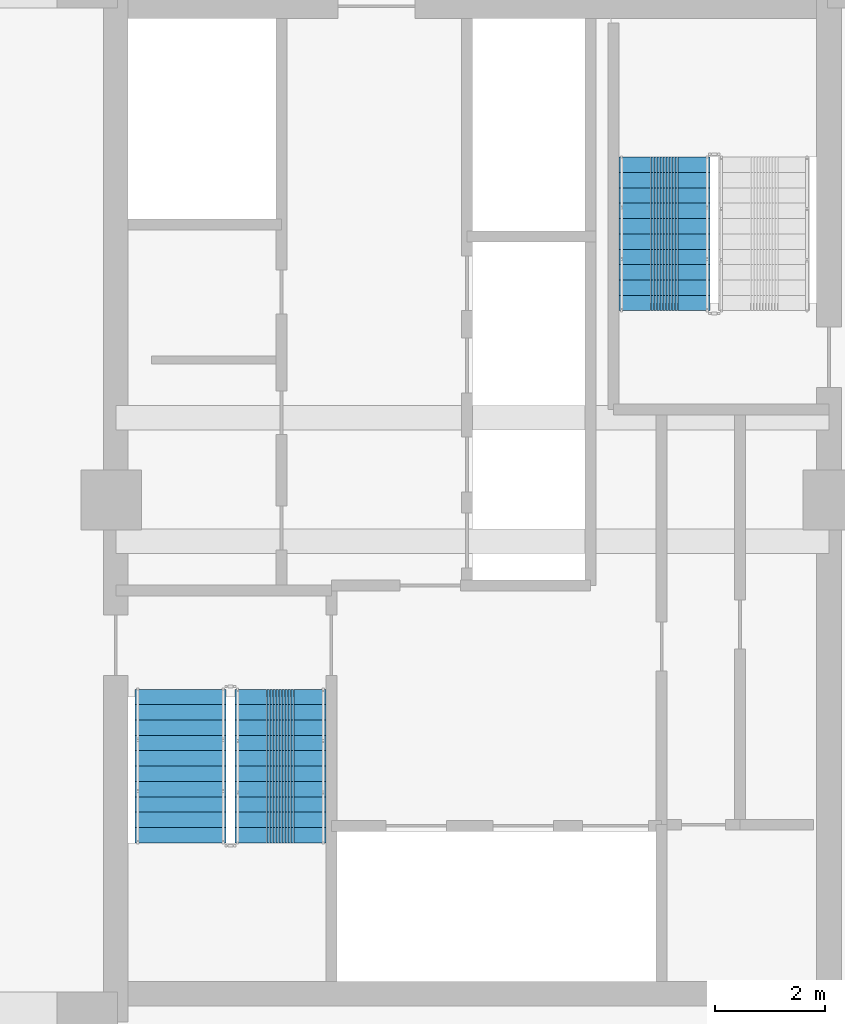
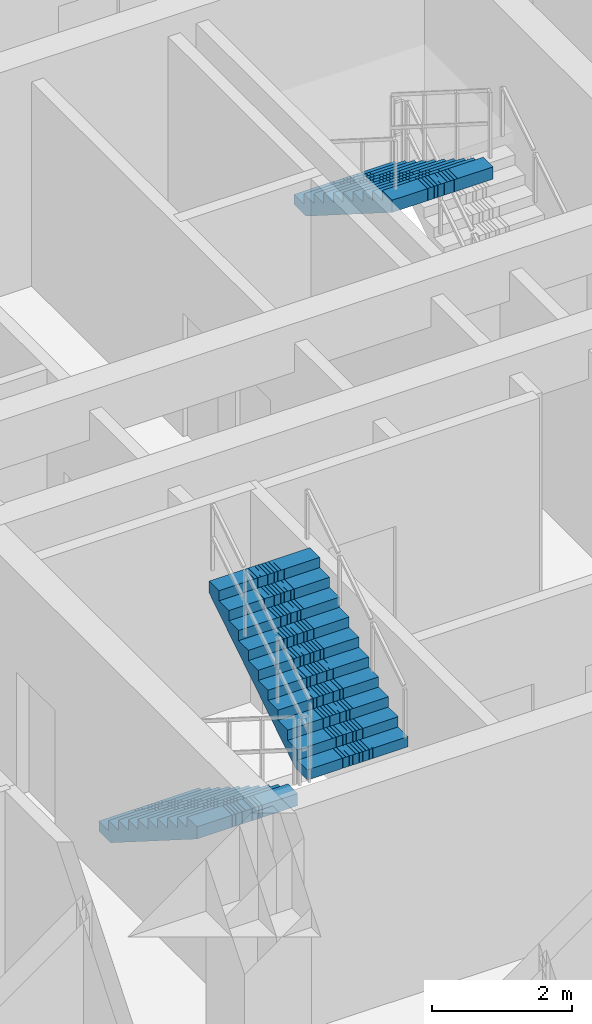
# One storey, part 43 of 45: 3 stair flights, 2 elements without a shape of their own.
"""IFC4 building model written with IfcOpenShell, lengths in metres."""

import ifcopenshell
import ifcopenshell.guid

model = None  # the IFC model being written
_history = None  # IfcOwnerHistory: only IFC2X3 demands one
_inside = {}  # id of a spatial element -> (the spatial element, [elements in it])
_under = {}  # id of a project, library or spatial element -> (it, [spatial elements below it])
_declared = {}  # id of a project -> (the project, [libraries it declares])
_typed = {}  # id of a type object -> (the type object, [elements of that type])
_made_of = {}  # id of a material, layer set ... -> (it, [elements and type objects made of it])


def new_model(schema):
    """Start an empty IFC model of exactly this schema.

    Asked for "IFC4X3", IfcOpenShell would pick the latest addendum, in which some entities
    have other attributes; the version numbers below select the first issue.
    IFC2X3 requires an IfcOwnerHistory on every rooted entity: one is made here for all.
    """
    global model, _history
    if schema == "IFC4X3":
        model = ifcopenshell.file(schema_version=(4, 3, 0, 0))
    else:
        model = ifcopenshell.file(schema=schema)
    _inside.clear()
    _under.clear()
    _declared.clear()
    _typed.clear()
    _made_of.clear()
    _history = None
    if model.schema == "IFC2X3":
        org = make("IfcOrganization", Name="unknown")
        user = make(
            "IfcPersonAndOrganization",
            ThePerson=make("IfcPerson", FamilyName="unknown"),
            TheOrganization=org,
        )
        app = make(
            "IfcApplication",
            ApplicationDeveloper=org,
            Version="unknown",
            ApplicationFullName="unknown",
            ApplicationIdentifier="unknown",
        )
        _history = make(
            "IfcOwnerHistory",
            OwningUser=user,
            OwningApplication=app,
            ChangeAction="ADDED",
            CreationDate=0,
        )
    return model


def make(cls, **values):
    """One entity of the class cls with the attributes given. An attribute that is None is left unset."""
    return model.create_entity(
        cls, **{name: value for name, value in values.items() if value is not None}
    )


def rooted(cls, **values):
    """An entity with a GlobalId (a new one), such as an element, a storey or a relation."""
    return make(cls, GlobalId=ifcopenshell.guid.new(), OwnerHistory=_history, **values)


def si_unit(unit_type, name, prefix=None):
    """IfcSIUnit, for example si_unit("LENGTHUNIT", "METRE", prefix="MILLI")."""
    return make("IfcSIUnit", UnitType=unit_type, Prefix=prefix, Name=name)


def assignment(units):
    """IfcUnitAssignment: the units of a project."""
    return None if units is None else make("IfcUnitAssignment", Units=units)


def point(xyz):
    """IfcCartesianPoint."""
    return None if xyz is None else make("IfcCartesianPoint", Coordinates=xyz)


def direction(xyz):
    """IfcDirection."""
    return None if xyz is None else make("IfcDirection", DirectionRatios=xyz)


def frame(location, z_axis=None, x_axis=None):
    """IfcAxis2Placement3D, a coordinate frame: its origin and axes. An axis left out is left unset."""
    return make(
        "IfcAxis2Placement3D",
        Location=point(location),
        Axis=direction(z_axis),
        RefDirection=direction(x_axis),
    )


def origin():
    """The frame at (0, 0, 0) with its axes left unset."""
    return frame((0.0, 0.0, 0.0))


def place(relative_to, where):
    """IfcLocalPlacement: puts the frame where relative to a parent placement (None: the world)."""
    return make(
        "IfcLocalPlacement", PlacementRelTo=relative_to, RelativePlacement=where
    )


def context(
    kind, dimensions, precision=None, world=None, true_north=None, identifier=None
):
    """IfcGeometricRepresentationContext, for example the 3D "Model" context."""
    return make(
        "IfcGeometricRepresentationContext",
        ContextIdentifier=identifier,
        ContextType=kind,
        CoordinateSpaceDimension=dimensions,
        Precision=precision,
        WorldCoordinateSystem=world,
        TrueNorth=true_north,
    )


def subcontext(parent, identifier, kind, view, scale=None):
    """IfcGeometricRepresentationSubContext, for example "Body" below "Model"."""
    return make(
        "IfcGeometricRepresentationSubContext",
        ContextIdentifier=identifier,
        ContextType=kind,
        ParentContext=parent,
        TargetScale=scale,
        TargetView=view,
    )


def project(units=None, contexts=None):
    """IfcProject with its units and contexts."""
    return rooted(
        "IfcProject",
        Name="project",
        RepresentationContexts=contexts,
        UnitsInContext=assignment(units),
    )


def spatial(cls, under=None, at=None, **own):
    """A site, building, storey or space (cls), placed at a placement, below another one or the project."""
    s = rooted(cls, ObjectPlacement=at, **own)
    if under is not None:
        _under.setdefault(under.id(), (under, []))[1].append(s)
    return s


def polyline(points):
    """IfcPolyline through the points."""
    return make("IfcPolyline", Points=[point(p) for p in points])


def outline(outer, holes=None, kind="AREA"):
    """IfcArbitraryClosedProfileDef: a profile drawn as a closed curve; with holes, ...WithVoids."""
    if holes is None:
        return make("IfcArbitraryClosedProfileDef", ProfileType=kind, OuterCurve=outer)
    return make(
        "IfcArbitraryProfileDefWithVoids",
        ProfileType=kind,
        OuterCurve=outer,
        InnerCurves=holes,
    )


def extrude(swept, where, along, depth):
    """IfcExtrudedAreaSolid: the profile swept, set in the frame where, extruded along a direction by depth."""
    return make(
        "IfcExtrudedAreaSolid",
        SweptArea=swept,
        Position=where,
        ExtrudedDirection=direction(along),
        Depth=depth,
    )


def shape(context_of_items, identifier, shape_type, items):
    """IfcShapeRepresentation: the items that make up one representation, for example the "Body"."""
    return make(
        "IfcShapeRepresentation",
        ContextOfItems=context_of_items,
        RepresentationIdentifier=identifier,
        RepresentationType=shape_type,
        Items=items,
    )


def material(Name=None, Category=None):
    """IfcMaterial."""
    return make("IfcMaterial", Name=Name, Category=Category)


def made_of(thing, what):
    """Note that an element or type object is made of a material, layer set ...; save() writes the relation."""
    if what is not None:
        _made_of.setdefault(what.id(), (what, []))[1].append(thing)
    return thing


def type_object(cls, material=None, **own):
    """A type object (cls), such as IfcWallType, which elements share."""
    return made_of(rooted(cls, **own), material)


def element(
    cls,
    number,
    at=None,
    inside=None,
    cuts=None,
    type_object=None,
    material=None,
    context=None,
    identifier="Body",
    shape_type=None,
    held_by="IfcProductDefinitionShape",
    body=None,
    shapes=None,
    **own,
):
    """One element of the class cls, such as IfcWall. Its Tag is "e" and its number.

    at: its placement. inside: the storey or other place that contains it. cuts: it is an
    opening in that element (IfcRelVoidsElement). A single representation is given by context,
    identifier, shape_type and body (its items); several are given by shapes. held_by: the class
    of the entity that holds the representations. save() writes the other relations.
    """
    e = rooted(cls, Tag="e%d" % number, ObjectPlacement=at, **own)
    if body is not None:
        shapes = [shape(context, identifier, shape_type, body)]
    if shapes is not None:
        e.Representation = make(held_by, Representations=shapes)
    if inside is not None:
        _inside.setdefault(inside.id(), (inside, []))[1].append(e)
    if cuts is not None:
        rooted(
            "IfcRelVoidsElement", RelatingBuildingElement=cuts, RelatedOpeningElement=e
        )
    if type_object is not None:
        _typed.setdefault(type_object.id(), (type_object, []))[1].append(e)
    return made_of(e, material)


def aggregate(whole, parts):
    """IfcRelAggregates: a whole, such as a stair, and the parts it consists of."""
    return rooted("IfcRelAggregates", RelatingObject=whole, RelatedObjects=parts)


def save(model, path):
    """Write the relations noted so far, then the file.

    IfcRelAggregates (storeys below a building ...), IfcRelContainedInSpatialStructure (elements
    in a storey), IfcRelDefinesByType, IfcRelAssociatesMaterial and IfcRelDeclares: one each for
    every whole, place, type object, material and project.
    """
    for whole, parts in _under.values():
        aggregate(whole, parts)
    for where, things in _inside.values():
        rooted(
            "IfcRelContainedInSpatialStructure",
            RelatedElements=things,
            RelatingStructure=where,
        )
    for kind, things in _typed.values():
        rooted("IfcRelDefinesByType", RelatedObjects=things, RelatingType=kind)
    for what, things in _made_of.values():
        rooted("IfcRelAssociatesMaterial", RelatedObjects=things, RelatingMaterial=what)
    for by, libraries in _declared.values():
        rooted("IfcRelDeclares", RelatingContext=by, RelatedDefinitions=libraries)
    model.write(path)


model = new_model("IFC4")

# Units and contexts
model_context = context("Model", 3, precision=1e-05, world=origin(), true_north=direction((0.0, 1.0)))
body_context = subcontext(model_context, "Body", "Model", "MODEL_VIEW")
ifc_project = project(units=[si_unit("LENGTHUNIT", "METRE"), si_unit("AREAUNIT", "SQUARE_METRE"), si_unit("VOLUMEUNIT", "CUBIC_METRE"), si_unit("PLANEANGLEUNIT", "RADIAN"), si_unit("MASSUNIT", "GRAM", prefix="KILO")], contexts=[model_context])

# Site, building, storey
site_placement = place(None, origin())
site = spatial("IfcSite", under=ifc_project, at=site_placement, CompositionType="ELEMENT")
building_placement = place(site_placement, origin())
building = spatial("IfcBuilding", under=site, at=building_placement, Name="Saelheon Loggia Tower", CompositionType="ELEMENT")
storey_placement = place(building_placement, frame((0.0, 0.0, 152.199951171875)))
storey = spatial("IfcBuildingStorey", under=building, at=storey_placement, Name="L48", CompositionType="ELEMENT", Elevation=152.199951171875)

# Stair, stair flights
ifc_material = material(Name="Concrete C40/50", Category="concrete")
stair_type = type_object("IfcStairType", Name="Stair_Escape_Core", PredefinedType="HALF_TURN_STAIR", material=ifc_material)
stair_1_placement = place(storey_placement, origin())
stair_1 = element("IfcStair", 1, at=stair_1_placement, inside=storey, type_object=stair_type, Name="L48 Special Escape Stair ST1", PredefinedType="HALF_TURN_STAIR")
stair_flight_type = type_object("IfcStairFlightType", Name="StairFlight_Tower_1660", PredefinedType="STRAIGHT", material=ifc_material)
stair_flight_1_placement = place(storey_placement, frame((32.679931640625, 23.550048828125, 0.0), z_axis=(0.0, 0.0, 1.0), x_axis=(0.0, -1.0, 0.0)))
stair_flight_1 = element("IfcStairFlight", 2, at=stair_flight_1_placement, type_object=stair_flight_type, Name="ST1 flight 1", NumberOfRisers=11, NumberOfTreads=10, PredefinedType="STRAIGHT", RiserHeight=0.177272727, TreadLength=0.28, context=body_context, shape_type="SweptSolid", body=[
    extrude(outline(polyline([(0.0, 0.0), (0.0, 0.17724609375), (0.280029296875, 0.17724609375), (0.280029296875, 0.3544921875), (0.56005859375, 0.3544921875), (0.56005859375, 0.53173828125), (0.840087890625, 0.53173828125), (0.840087890625, 0.708984375), (1.1201171875, 0.708984375), (1.1201171875, 0.886474609375), (1.39990234375, 0.886474609375), (1.39990234375, 1.063720703125), (1.679931640625, 1.063720703125), (1.679931640625, 1.240966796875), (1.9599609375, 1.240966796875), (1.9599609375, 1.418212890625), (2.239990234375, 1.418212890625), (2.239990234375, 1.595458984375), (2.52001953125, 1.595458984375), (2.52001953125, 1.772705078125), (2.800048828125, 1.772705078125), (2.800048828125, 1.949951171875), (2.800048828125, 1.559814453125), (0.33642578125, 0.0), (0.0, 0.0)])), frame((0.0, -0.2490234375, 0.0), z_axis=(0.0, -1.0, 0.0), x_axis=(1.0, 0.0, 0.0)), (0.0, 0.0, 1.0), 0.5810546875),
    extrude(outline(polyline([(0.0, 0.0), (0.0, 0.17724609375), (0.280029296875, 0.17724609375), (0.280029296875, 0.3544921875), (0.56005859375, 0.3544921875), (0.56005859375, 0.53173828125), (0.840087890625, 0.53173828125), (0.840087890625, 0.708984375), (1.1201171875, 0.708984375), (1.1201171875, 0.886474609375), (1.39990234375, 0.886474609375), (1.39990234375, 1.063720703125), (1.679931640625, 1.063720703125), (1.679931640625, 1.240966796875), (1.9599609375, 1.240966796875), (1.9599609375, 1.418212890625), (2.239990234375, 1.418212890625), (2.239990234375, 1.595458984375), (2.52001953125, 1.595458984375), (2.52001953125, 1.772705078125), (2.800048828125, 1.772705078125), (2.800048828125, 1.949951171875), (2.800048828125, 1.559814453125), (0.33642578125, 0.0), (0.0, 0.0)])), frame((0.0, -0.194091796875, 0.0), z_axis=(0.0, -1.0, 0.0), x_axis=(1.0, 0.0, 0.0)), (0.0, 0.0, 1.0), 0.0498046875),
    extrude(outline(polyline([(0.0, 0.0), (0.0, 0.17724609375), (0.280029296875, 0.17724609375), (0.280029296875, 0.3544921875), (0.56005859375, 0.3544921875), (0.56005859375, 0.53173828125), (0.840087890625, 0.53173828125), (0.840087890625, 0.708984375), (1.1201171875, 0.708984375), (1.1201171875, 0.886474609375), (1.39990234375, 0.886474609375), (1.39990234375, 1.063720703125), (1.679931640625, 1.063720703125), (1.679931640625, 1.240966796875), (1.9599609375, 1.240966796875), (1.9599609375, 1.418212890625), (2.239990234375, 1.418212890625), (2.239990234375, 1.595458984375), (2.52001953125, 1.595458984375), (2.52001953125, 1.772705078125), (2.800048828125, 1.772705078125), (2.800048828125, 1.949951171875), (2.800048828125, 1.559814453125), (0.33642578125, 0.0), (0.0, 0.0)])), frame((0.0, -0.139404296875, 0.0), z_axis=(0.0, -1.0, 0.0), x_axis=(1.0, 0.0, 0.0)), (0.0, 0.0, 1.0), 0.0498046875),
    extrude(outline(polyline([(0.0, 0.0), (0.0, 0.17724609375), (0.280029296875, 0.17724609375), (0.280029296875, 0.3544921875), (0.56005859375, 0.3544921875), (0.56005859375, 0.53173828125), (0.840087890625, 0.53173828125), (0.840087890625, 0.708984375), (1.1201171875, 0.708984375), (1.1201171875, 0.886474609375), (1.39990234375, 0.886474609375), (1.39990234375, 1.063720703125), (1.679931640625, 1.063720703125), (1.679931640625, 1.240966796875), (1.9599609375, 1.240966796875), (1.9599609375, 1.418212890625), (2.239990234375, 1.418212890625), (2.239990234375, 1.595458984375), (2.52001953125, 1.595458984375), (2.52001953125, 1.772705078125), (2.800048828125, 1.772705078125), (2.800048828125, 1.949951171875), (2.800048828125, 1.559814453125), (0.33642578125, 0.0), (0.0, 0.0)])), frame((0.0, -0.084716796875, 0.0), z_axis=(0.0, -1.0, 0.0), x_axis=(1.0, 0.0, 0.0)), (0.0, 0.0, 1.0), 0.0498046875),
    extrude(outline(polyline([(0.0, 0.0), (0.0, 0.17724609375), (0.280029296875, 0.17724609375), (0.280029296875, 0.3544921875), (0.56005859375, 0.3544921875), (0.56005859375, 0.53173828125), (0.840087890625, 0.53173828125), (0.840087890625, 0.708984375), (1.1201171875, 0.708984375), (1.1201171875, 0.886474609375), (1.39990234375, 0.886474609375), (1.39990234375, 1.063720703125), (1.679931640625, 1.063720703125), (1.679931640625, 1.240966796875), (1.9599609375, 1.240966796875), (1.9599609375, 1.418212890625), (2.239990234375, 1.418212890625), (2.239990234375, 1.595458984375), (2.52001953125, 1.595458984375), (2.52001953125, 1.772705078125), (2.800048828125, 1.772705078125), (2.800048828125, 1.949951171875), (2.800048828125, 1.559814453125), (0.33642578125, 0.0), (0.0, 0.0)])), frame((0.0, -0.02978515625, 0.0), z_axis=(0.0, -1.0, 0.0), x_axis=(1.0, 0.0, 0.0)), (0.0, 0.0, 1.0), 0.0498046875),
    extrude(outline(polyline([(0.0, 0.0), (0.0, 0.17724609375), (0.280029296875, 0.17724609375), (0.280029296875, 0.3544921875), (0.56005859375, 0.3544921875), (0.56005859375, 0.53173828125), (0.840087890625, 0.53173828125), (0.840087890625, 0.708984375), (1.1201171875, 0.708984375), (1.1201171875, 0.886474609375), (1.39990234375, 0.886474609375), (1.39990234375, 1.063720703125), (1.679931640625, 1.063720703125), (1.679931640625, 1.240966796875), (1.9599609375, 1.240966796875), (1.9599609375, 1.418212890625), (2.239990234375, 1.418212890625), (2.239990234375, 1.595458984375), (2.52001953125, 1.595458984375), (2.52001953125, 1.772705078125), (2.800048828125, 1.772705078125), (2.800048828125, 1.949951171875), (2.800048828125, 1.559814453125), (0.33642578125, 0.0), (0.0, 0.0)])), frame((0.0, 0.02490234375, 0.0), z_axis=(0.0, -1.0, 0.0), x_axis=(1.0, 0.0, 0.0)), (0.0, 0.0, 1.0), 0.0498046875),
    extrude(outline(polyline([(0.0, 0.0), (0.0, 0.17724609375), (0.280029296875, 0.17724609375), (0.280029296875, 0.3544921875), (0.56005859375, 0.3544921875), (0.56005859375, 0.53173828125), (0.840087890625, 0.53173828125), (0.840087890625, 0.708984375), (1.1201171875, 0.708984375), (1.1201171875, 0.886474609375), (1.39990234375, 0.886474609375), (1.39990234375, 1.063720703125), (1.679931640625, 1.063720703125), (1.679931640625, 1.240966796875), (1.9599609375, 1.240966796875), (1.9599609375, 1.418212890625), (2.239990234375, 1.418212890625), (2.239990234375, 1.595458984375), (2.52001953125, 1.595458984375), (2.52001953125, 1.772705078125), (2.800048828125, 1.772705078125), (2.800048828125, 1.949951171875), (2.800048828125, 1.559814453125), (0.33642578125, 0.0), (0.0, 0.0)])), frame((0.0, 0.07958984375, 0.0), z_axis=(0.0, -1.0, 0.0), x_axis=(1.0, 0.0, 0.0)), (0.0, 0.0, 1.0), 0.0498046875),
    extrude(outline(polyline([(0.0, 0.0), (0.0, 0.17724609375), (0.280029296875, 0.17724609375), (0.280029296875, 0.3544921875), (0.56005859375, 0.3544921875), (0.56005859375, 0.53173828125), (0.840087890625, 0.53173828125), (0.840087890625, 0.708984375), (1.1201171875, 0.708984375), (1.1201171875, 0.886474609375), (1.39990234375, 0.886474609375), (1.39990234375, 1.063720703125), (1.679931640625, 1.063720703125), (1.679931640625, 1.240966796875), (1.9599609375, 1.240966796875), (1.9599609375, 1.418212890625), (2.239990234375, 1.418212890625), (2.239990234375, 1.595458984375), (2.52001953125, 1.595458984375), (2.52001953125, 1.772705078125), (2.800048828125, 1.772705078125), (2.800048828125, 1.949951171875), (2.800048828125, 1.559814453125), (0.33642578125, 0.0), (0.0, 0.0)])), frame((0.0, 0.134521484375, 0.0), z_axis=(0.0, -1.0, 0.0), x_axis=(1.0, 0.0, 0.0)), (0.0, 0.0, 1.0), 0.0498046875),
    extrude(outline(polyline([(0.0, 0.0), (0.0, 0.17724609375), (0.280029296875, 0.17724609375), (0.280029296875, 0.3544921875), (0.56005859375, 0.3544921875), (0.56005859375, 0.53173828125), (0.840087890625, 0.53173828125), (0.840087890625, 0.708984375), (1.1201171875, 0.708984375), (1.1201171875, 0.886474609375), (1.39990234375, 0.886474609375), (1.39990234375, 1.063720703125), (1.679931640625, 1.063720703125), (1.679931640625, 1.240966796875), (1.9599609375, 1.240966796875), (1.9599609375, 1.418212890625), (2.239990234375, 1.418212890625), (2.239990234375, 1.595458984375), (2.52001953125, 1.595458984375), (2.52001953125, 1.772705078125), (2.800048828125, 1.772705078125), (2.800048828125, 1.949951171875), (2.800048828125, 1.559814453125), (0.33642578125, 0.0), (0.0, 0.0)])), frame((0.0, 0.189208984375, 0.0), z_axis=(0.0, -1.0, 0.0), x_axis=(1.0, 0.0, 0.0)), (0.0, 0.0, 1.0), 0.0498046875),
    extrude(outline(polyline([(0.0, 0.0), (0.0, 0.17724609375), (0.280029296875, 0.17724609375), (0.280029296875, 0.3544921875), (0.56005859375, 0.3544921875), (0.56005859375, 0.53173828125), (0.840087890625, 0.53173828125), (0.840087890625, 0.708984375), (1.1201171875, 0.708984375), (1.1201171875, 0.886474609375), (1.39990234375, 0.886474609375), (1.39990234375, 1.063720703125), (1.679931640625, 1.063720703125), (1.679931640625, 1.240966796875), (1.9599609375, 1.240966796875), (1.9599609375, 1.418212890625), (2.239990234375, 1.418212890625), (2.239990234375, 1.595458984375), (2.52001953125, 1.595458984375), (2.52001953125, 1.772705078125), (2.800048828125, 1.772705078125), (2.800048828125, 1.949951171875), (2.800048828125, 1.559814453125), (0.33642578125, 0.0), (0.0, 0.0)])), frame((0.0, 0.243896484375, 0.0), z_axis=(0.0, -1.0, 0.0), x_axis=(1.0, 0.0, 0.0)), (0.0, 0.0, 1.0), 0.0498046875),
    extrude(outline(polyline([(0.0, 0.0), (0.0, 0.17724609375), (0.280029296875, 0.17724609375), (0.280029296875, 0.3544921875), (0.56005859375, 0.3544921875), (0.56005859375, 0.53173828125), (0.840087890625, 0.53173828125), (0.840087890625, 0.708984375), (1.1201171875, 0.708984375), (1.1201171875, 0.886474609375), (1.39990234375, 0.886474609375), (1.39990234375, 1.063720703125), (1.679931640625, 1.063720703125), (1.679931640625, 1.240966796875), (1.9599609375, 1.240966796875), (1.9599609375, 1.418212890625), (2.239990234375, 1.418212890625), (2.239990234375, 1.595458984375), (2.52001953125, 1.595458984375), (2.52001953125, 1.772705078125), (2.800048828125, 1.772705078125), (2.800048828125, 1.949951171875), (2.800048828125, 1.559814453125), (0.33642578125, 0.0), (0.0, 0.0)])), frame((0.0, 0.830078125, 0.0), z_axis=(0.0, -1.0, 0.0), x_axis=(1.0, 0.0, 0.0)), (0.0, 0.0, 1.0), 0.5810546875),
])
stair_flight_2_placement = place(storey_placement, frame((34.5, 20.75, 1.949951171875), z_axis=(0.0, 0.0, 1.0), x_axis=(0.0, 1.0, 0.0)))
stair_flight_2 = element("IfcStairFlight", 3, at=stair_flight_2_placement, type_object=stair_flight_type, Name="ST1 flight 2", NumberOfRisers=11, NumberOfTreads=10, PredefinedType="STRAIGHT", RiserHeight=0.177272727, TreadLength=0.28, context=body_context, shape_type="SweptSolid", body=[
    extrude(outline(polyline([(0.0, 0.0), (0.0, 0.17724609375), (0.280029296875, 0.17724609375), (0.280029296875, 0.3544921875), (0.56005859375, 0.3544921875), (0.56005859375, 0.53173828125), (0.840087890625, 0.53173828125), (0.840087890625, 0.708984375), (1.1201171875, 0.708984375), (1.1201171875, 0.886474609375), (1.39990234375, 0.886474609375), (1.39990234375, 1.063720703125), (1.679931640625, 1.063720703125), (1.679931640625, 1.240966796875), (1.9599609375, 1.240966796875), (1.9599609375, 1.418212890625), (2.239990234375, 1.418212890625), (2.239990234375, 1.595458984375), (2.52001953125, 1.595458984375), (2.52001953125, 1.772705078125), (2.800048828125, 1.772705078125), (2.800048828125, 1.949951171875), (2.800048828125, 1.559814453125), (0.33642578125, 0.0), (0.0, 0.0)])), frame((0.0, -0.2490234375, 0.0), z_axis=(0.0, -1.0, 0.0), x_axis=(1.0, 0.0, 0.0)), (0.0, 0.0, 1.0), 0.5810546875),
    extrude(outline(polyline([(0.0, 0.0), (0.0, 0.17724609375), (0.280029296875, 0.17724609375), (0.280029296875, 0.3544921875), (0.56005859375, 0.3544921875), (0.56005859375, 0.53173828125), (0.840087890625, 0.53173828125), (0.840087890625, 0.708984375), (1.1201171875, 0.708984375), (1.1201171875, 0.886474609375), (1.39990234375, 0.886474609375), (1.39990234375, 1.063720703125), (1.679931640625, 1.063720703125), (1.679931640625, 1.240966796875), (1.9599609375, 1.240966796875), (1.9599609375, 1.418212890625), (2.239990234375, 1.418212890625), (2.239990234375, 1.595458984375), (2.52001953125, 1.595458984375), (2.52001953125, 1.772705078125), (2.800048828125, 1.772705078125), (2.800048828125, 1.949951171875), (2.800048828125, 1.559814453125), (0.33642578125, 0.0), (0.0, 0.0)])), frame((0.0, -0.194091796875, 0.0), z_axis=(0.0, -1.0, 0.0), x_axis=(1.0, 0.0, 0.0)), (0.0, 0.0, 1.0), 0.0498046875),
    extrude(outline(polyline([(0.0, 0.0), (0.0, 0.17724609375), (0.280029296875, 0.17724609375), (0.280029296875, 0.3544921875), (0.56005859375, 0.3544921875), (0.56005859375, 0.53173828125), (0.840087890625, 0.53173828125), (0.840087890625, 0.708984375), (1.1201171875, 0.708984375), (1.1201171875, 0.886474609375), (1.39990234375, 0.886474609375), (1.39990234375, 1.063720703125), (1.679931640625, 1.063720703125), (1.679931640625, 1.240966796875), (1.9599609375, 1.240966796875), (1.9599609375, 1.418212890625), (2.239990234375, 1.418212890625), (2.239990234375, 1.595458984375), (2.52001953125, 1.595458984375), (2.52001953125, 1.772705078125), (2.800048828125, 1.772705078125), (2.800048828125, 1.949951171875), (2.800048828125, 1.559814453125), (0.33642578125, 0.0), (0.0, 0.0)])), frame((0.0, -0.139404296875, 0.0), z_axis=(0.0, -1.0, 0.0), x_axis=(1.0, 0.0, 0.0)), (0.0, 0.0, 1.0), 0.0498046875),
    extrude(outline(polyline([(0.0, 0.0), (0.0, 0.17724609375), (0.280029296875, 0.17724609375), (0.280029296875, 0.3544921875), (0.56005859375, 0.3544921875), (0.56005859375, 0.53173828125), (0.840087890625, 0.53173828125), (0.840087890625, 0.708984375), (1.1201171875, 0.708984375), (1.1201171875, 0.886474609375), (1.39990234375, 0.886474609375), (1.39990234375, 1.063720703125), (1.679931640625, 1.063720703125), (1.679931640625, 1.240966796875), (1.9599609375, 1.240966796875), (1.9599609375, 1.418212890625), (2.239990234375, 1.418212890625), (2.239990234375, 1.595458984375), (2.52001953125, 1.595458984375), (2.52001953125, 1.772705078125), (2.800048828125, 1.772705078125), (2.800048828125, 1.949951171875), (2.800048828125, 1.559814453125), (0.33642578125, 0.0), (0.0, 0.0)])), frame((0.0, -0.084716796875, 0.0), z_axis=(0.0, -1.0, 0.0), x_axis=(1.0, 0.0, 0.0)), (0.0, 0.0, 1.0), 0.0498046875),
    extrude(outline(polyline([(0.0, 0.0), (0.0, 0.17724609375), (0.280029296875, 0.17724609375), (0.280029296875, 0.3544921875), (0.56005859375, 0.3544921875), (0.56005859375, 0.53173828125), (0.840087890625, 0.53173828125), (0.840087890625, 0.708984375), (1.1201171875, 0.708984375), (1.1201171875, 0.886474609375), (1.39990234375, 0.886474609375), (1.39990234375, 1.063720703125), (1.679931640625, 1.063720703125), (1.679931640625, 1.240966796875), (1.9599609375, 1.240966796875), (1.9599609375, 1.418212890625), (2.239990234375, 1.418212890625), (2.239990234375, 1.595458984375), (2.52001953125, 1.595458984375), (2.52001953125, 1.772705078125), (2.800048828125, 1.772705078125), (2.800048828125, 1.949951171875), (2.800048828125, 1.559814453125), (0.33642578125, 0.0), (0.0, 0.0)])), frame((0.0, -0.02978515625, 0.0), z_axis=(0.0, -1.0, 0.0), x_axis=(1.0, 0.0, 0.0)), (0.0, 0.0, 1.0), 0.0498046875),
    extrude(outline(polyline([(0.0, 0.0), (0.0, 0.17724609375), (0.280029296875, 0.17724609375), (0.280029296875, 0.3544921875), (0.56005859375, 0.3544921875), (0.56005859375, 0.53173828125), (0.840087890625, 0.53173828125), (0.840087890625, 0.708984375), (1.1201171875, 0.708984375), (1.1201171875, 0.886474609375), (1.39990234375, 0.886474609375), (1.39990234375, 1.063720703125), (1.679931640625, 1.063720703125), (1.679931640625, 1.240966796875), (1.9599609375, 1.240966796875), (1.9599609375, 1.418212890625), (2.239990234375, 1.418212890625), (2.239990234375, 1.595458984375), (2.52001953125, 1.595458984375), (2.52001953125, 1.772705078125), (2.800048828125, 1.772705078125), (2.800048828125, 1.949951171875), (2.800048828125, 1.559814453125), (0.33642578125, 0.0), (0.0, 0.0)])), frame((0.0, 0.02490234375, 0.0), z_axis=(0.0, -1.0, 0.0), x_axis=(1.0, 0.0, 0.0)), (0.0, 0.0, 1.0), 0.0498046875),
    extrude(outline(polyline([(0.0, 0.0), (0.0, 0.17724609375), (0.280029296875, 0.17724609375), (0.280029296875, 0.3544921875), (0.56005859375, 0.3544921875), (0.56005859375, 0.53173828125), (0.840087890625, 0.53173828125), (0.840087890625, 0.708984375), (1.1201171875, 0.708984375), (1.1201171875, 0.886474609375), (1.39990234375, 0.886474609375), (1.39990234375, 1.063720703125), (1.679931640625, 1.063720703125), (1.679931640625, 1.240966796875), (1.9599609375, 1.240966796875), (1.9599609375, 1.418212890625), (2.239990234375, 1.418212890625), (2.239990234375, 1.595458984375), (2.52001953125, 1.595458984375), (2.52001953125, 1.772705078125), (2.800048828125, 1.772705078125), (2.800048828125, 1.949951171875), (2.800048828125, 1.559814453125), (0.33642578125, 0.0), (0.0, 0.0)])), frame((0.0, 0.07958984375, 0.0), z_axis=(0.0, -1.0, 0.0), x_axis=(1.0, 0.0, 0.0)), (0.0, 0.0, 1.0), 0.0498046875),
    extrude(outline(polyline([(0.0, 0.0), (0.0, 0.17724609375), (0.280029296875, 0.17724609375), (0.280029296875, 0.3544921875), (0.56005859375, 0.3544921875), (0.56005859375, 0.53173828125), (0.840087890625, 0.53173828125), (0.840087890625, 0.708984375), (1.1201171875, 0.708984375), (1.1201171875, 0.886474609375), (1.39990234375, 0.886474609375), (1.39990234375, 1.063720703125), (1.679931640625, 1.063720703125), (1.679931640625, 1.240966796875), (1.9599609375, 1.240966796875), (1.9599609375, 1.418212890625), (2.239990234375, 1.418212890625), (2.239990234375, 1.595458984375), (2.52001953125, 1.595458984375), (2.52001953125, 1.772705078125), (2.800048828125, 1.772705078125), (2.800048828125, 1.949951171875), (2.800048828125, 1.559814453125), (0.33642578125, 0.0), (0.0, 0.0)])), frame((0.0, 0.134521484375, 0.0), z_axis=(0.0, -1.0, 0.0), x_axis=(1.0, 0.0, 0.0)), (0.0, 0.0, 1.0), 0.0498046875),
    extrude(outline(polyline([(0.0, 0.0), (0.0, 0.17724609375), (0.280029296875, 0.17724609375), (0.280029296875, 0.3544921875), (0.56005859375, 0.3544921875), (0.56005859375, 0.53173828125), (0.840087890625, 0.53173828125), (0.840087890625, 0.708984375), (1.1201171875, 0.708984375), (1.1201171875, 0.886474609375), (1.39990234375, 0.886474609375), (1.39990234375, 1.063720703125), (1.679931640625, 1.063720703125), (1.679931640625, 1.240966796875), (1.9599609375, 1.240966796875), (1.9599609375, 1.418212890625), (2.239990234375, 1.418212890625), (2.239990234375, 1.595458984375), (2.52001953125, 1.595458984375), (2.52001953125, 1.772705078125), (2.800048828125, 1.772705078125), (2.800048828125, 1.949951171875), (2.800048828125, 1.559814453125), (0.33642578125, 0.0), (0.0, 0.0)])), frame((0.0, 0.189208984375, 0.0), z_axis=(0.0, -1.0, 0.0), x_axis=(1.0, 0.0, 0.0)), (0.0, 0.0, 1.0), 0.0498046875),
    extrude(outline(polyline([(0.0, 0.0), (0.0, 0.17724609375), (0.280029296875, 0.17724609375), (0.280029296875, 0.3544921875), (0.56005859375, 0.3544921875), (0.56005859375, 0.53173828125), (0.840087890625, 0.53173828125), (0.840087890625, 0.708984375), (1.1201171875, 0.708984375), (1.1201171875, 0.886474609375), (1.39990234375, 0.886474609375), (1.39990234375, 1.063720703125), (1.679931640625, 1.063720703125), (1.679931640625, 1.240966796875), (1.9599609375, 1.240966796875), (1.9599609375, 1.418212890625), (2.239990234375, 1.418212890625), (2.239990234375, 1.595458984375), (2.52001953125, 1.595458984375), (2.52001953125, 1.772705078125), (2.800048828125, 1.772705078125), (2.800048828125, 1.949951171875), (2.800048828125, 1.559814453125), (0.33642578125, 0.0), (0.0, 0.0)])), frame((0.0, 0.243896484375, 0.0), z_axis=(0.0, -1.0, 0.0), x_axis=(1.0, 0.0, 0.0)), (0.0, 0.0, 1.0), 0.0498046875),
    extrude(outline(polyline([(0.0, 0.0), (0.0, 0.17724609375), (0.280029296875, 0.17724609375), (0.280029296875, 0.3544921875), (0.56005859375, 0.3544921875), (0.56005859375, 0.53173828125), (0.840087890625, 0.53173828125), (0.840087890625, 0.708984375), (1.1201171875, 0.708984375), (1.1201171875, 0.886474609375), (1.39990234375, 0.886474609375), (1.39990234375, 1.063720703125), (1.679931640625, 1.063720703125), (1.679931640625, 1.240966796875), (1.9599609375, 1.240966796875), (1.9599609375, 1.418212890625), (2.239990234375, 1.418212890625), (2.239990234375, 1.595458984375), (2.52001953125, 1.595458984375), (2.52001953125, 1.772705078125), (2.800048828125, 1.772705078125), (2.800048828125, 1.949951171875), (2.800048828125, 1.559814453125), (0.33642578125, 0.0), (0.0, 0.0)])), frame((0.0, 0.830078125, 0.0), z_axis=(0.0, -1.0, 0.0), x_axis=(1.0, 0.0, 0.0)), (0.0, 0.0, 1.0), 0.5810546875),
])
aggregate(stair_1, [stair_flight_1, stair_flight_2])

# Stair, stair flight
stair_2_placement = place(storey_placement, origin())
stair_2 = element("IfcStair", 4, at=stair_2_placement, inside=storey, type_object=stair_type, Name="L48 Special Escape Stair ST2", PredefinedType="HALF_TURN_STAIR")
stair_flight_3_placement = place(storey_placement, frame((41.5, 33.25, 1.949951171875), z_axis=(0.0, 0.0, 1.0), x_axis=(0.0, -1.0, 0.0)))
stair_flight_3 = element("IfcStairFlight", 5, at=stair_flight_3_placement, type_object=stair_flight_type, Name="ST2 flight 2", NumberOfRisers=11, NumberOfTreads=10, PredefinedType="STRAIGHT", RiserHeight=0.177272727, TreadLength=0.28, context=body_context, shape_type="SweptSolid", body=[
    extrude(outline(polyline([(0.0, 0.0), (0.0, 0.17724609375), (0.280029296875, 0.17724609375), (0.280029296875, 0.3544921875), (0.56005859375, 0.3544921875), (0.56005859375, 0.53173828125), (0.840087890625, 0.53173828125), (0.840087890625, 0.708984375), (1.1201171875, 0.708984375), (1.1201171875, 0.886474609375), (1.39990234375, 0.886474609375), (1.39990234375, 1.063720703125), (1.679931640625, 1.063720703125), (1.679931640625, 1.240966796875), (1.9599609375, 1.240966796875), (1.9599609375, 1.418212890625), (2.239990234375, 1.418212890625), (2.239990234375, 1.595458984375), (2.52001953125, 1.595458984375), (2.52001953125, 1.772705078125), (2.800048828125, 1.772705078125), (2.800048828125, 1.949951171875), (2.800048828125, 1.559814453125), (0.33642578125, 0.0), (0.0, 0.0)])), frame((0.0, -0.2490234375, 0.0), z_axis=(0.0, -1.0, 0.0), x_axis=(1.0, 0.0, 0.0)), (0.0, 0.0, 1.0), 0.5810546875),
    extrude(outline(polyline([(0.0, 0.0), (0.0, 0.17724609375), (0.280029296875, 0.17724609375), (0.280029296875, 0.3544921875), (0.56005859375, 0.3544921875), (0.56005859375, 0.53173828125), (0.840087890625, 0.53173828125), (0.840087890625, 0.708984375), (1.1201171875, 0.708984375), (1.1201171875, 0.886474609375), (1.39990234375, 0.886474609375), (1.39990234375, 1.063720703125), (1.679931640625, 1.063720703125), (1.679931640625, 1.240966796875), (1.9599609375, 1.240966796875), (1.9599609375, 1.418212890625), (2.239990234375, 1.418212890625), (2.239990234375, 1.595458984375), (2.52001953125, 1.595458984375), (2.52001953125, 1.772705078125), (2.800048828125, 1.772705078125), (2.800048828125, 1.949951171875), (2.800048828125, 1.559814453125), (0.33642578125, 0.0), (0.0, 0.0)])), frame((0.0, -0.194091796875, 0.0), z_axis=(0.0, -1.0, 0.0), x_axis=(1.0, 0.0, 0.0)), (0.0, 0.0, 1.0), 0.0498046875),
    extrude(outline(polyline([(0.0, 0.0), (0.0, 0.17724609375), (0.280029296875, 0.17724609375), (0.280029296875, 0.3544921875), (0.56005859375, 0.3544921875), (0.56005859375, 0.53173828125), (0.840087890625, 0.53173828125), (0.840087890625, 0.708984375), (1.1201171875, 0.708984375), (1.1201171875, 0.886474609375), (1.39990234375, 0.886474609375), (1.39990234375, 1.063720703125), (1.679931640625, 1.063720703125), (1.679931640625, 1.240966796875), (1.9599609375, 1.240966796875), (1.9599609375, 1.418212890625), (2.239990234375, 1.418212890625), (2.239990234375, 1.595458984375), (2.52001953125, 1.595458984375), (2.52001953125, 1.772705078125), (2.800048828125, 1.772705078125), (2.800048828125, 1.949951171875), (2.800048828125, 1.559814453125), (0.33642578125, 0.0), (0.0, 0.0)])), frame((0.0, -0.139404296875, 0.0), z_axis=(0.0, -1.0, 0.0), x_axis=(1.0, 0.0, 0.0)), (0.0, 0.0, 1.0), 0.0498046875),
    extrude(outline(polyline([(0.0, 0.0), (0.0, 0.17724609375), (0.280029296875, 0.17724609375), (0.280029296875, 0.3544921875), (0.56005859375, 0.3544921875), (0.56005859375, 0.53173828125), (0.840087890625, 0.53173828125), (0.840087890625, 0.708984375), (1.1201171875, 0.708984375), (1.1201171875, 0.886474609375), (1.39990234375, 0.886474609375), (1.39990234375, 1.063720703125), (1.679931640625, 1.063720703125), (1.679931640625, 1.240966796875), (1.9599609375, 1.240966796875), (1.9599609375, 1.418212890625), (2.239990234375, 1.418212890625), (2.239990234375, 1.595458984375), (2.52001953125, 1.595458984375), (2.52001953125, 1.772705078125), (2.800048828125, 1.772705078125), (2.800048828125, 1.949951171875), (2.800048828125, 1.559814453125), (0.33642578125, 0.0), (0.0, 0.0)])), frame((0.0, -0.084716796875, 0.0), z_axis=(0.0, -1.0, 0.0), x_axis=(1.0, 0.0, 0.0)), (0.0, 0.0, 1.0), 0.0498046875),
    extrude(outline(polyline([(0.0, 0.0), (0.0, 0.17724609375), (0.280029296875, 0.17724609375), (0.280029296875, 0.3544921875), (0.56005859375, 0.3544921875), (0.56005859375, 0.53173828125), (0.840087890625, 0.53173828125), (0.840087890625, 0.708984375), (1.1201171875, 0.708984375), (1.1201171875, 0.886474609375), (1.39990234375, 0.886474609375), (1.39990234375, 1.063720703125), (1.679931640625, 1.063720703125), (1.679931640625, 1.240966796875), (1.9599609375, 1.240966796875), (1.9599609375, 1.418212890625), (2.239990234375, 1.418212890625), (2.239990234375, 1.595458984375), (2.52001953125, 1.595458984375), (2.52001953125, 1.772705078125), (2.800048828125, 1.772705078125), (2.800048828125, 1.949951171875), (2.800048828125, 1.559814453125), (0.33642578125, 0.0), (0.0, 0.0)])), frame((0.0, -0.02978515625, 0.0), z_axis=(0.0, -1.0, 0.0), x_axis=(1.0, 0.0, 0.0)), (0.0, 0.0, 1.0), 0.0498046875),
    extrude(outline(polyline([(0.0, 0.0), (0.0, 0.17724609375), (0.280029296875, 0.17724609375), (0.280029296875, 0.3544921875), (0.56005859375, 0.3544921875), (0.56005859375, 0.53173828125), (0.840087890625, 0.53173828125), (0.840087890625, 0.708984375), (1.1201171875, 0.708984375), (1.1201171875, 0.886474609375), (1.39990234375, 0.886474609375), (1.39990234375, 1.063720703125), (1.679931640625, 1.063720703125), (1.679931640625, 1.240966796875), (1.9599609375, 1.240966796875), (1.9599609375, 1.418212890625), (2.239990234375, 1.418212890625), (2.239990234375, 1.595458984375), (2.52001953125, 1.595458984375), (2.52001953125, 1.772705078125), (2.800048828125, 1.772705078125), (2.800048828125, 1.949951171875), (2.800048828125, 1.559814453125), (0.33642578125, 0.0), (0.0, 0.0)])), frame((0.0, 0.02490234375, 0.0), z_axis=(0.0, -1.0, 0.0), x_axis=(1.0, 0.0, 0.0)), (0.0, 0.0, 1.0), 0.0498046875),
    extrude(outline(polyline([(0.0, 0.0), (0.0, 0.17724609375), (0.280029296875, 0.17724609375), (0.280029296875, 0.3544921875), (0.56005859375, 0.3544921875), (0.56005859375, 0.53173828125), (0.840087890625, 0.53173828125), (0.840087890625, 0.708984375), (1.1201171875, 0.708984375), (1.1201171875, 0.886474609375), (1.39990234375, 0.886474609375), (1.39990234375, 1.063720703125), (1.679931640625, 1.063720703125), (1.679931640625, 1.240966796875), (1.9599609375, 1.240966796875), (1.9599609375, 1.418212890625), (2.239990234375, 1.418212890625), (2.239990234375, 1.595458984375), (2.52001953125, 1.595458984375), (2.52001953125, 1.772705078125), (2.800048828125, 1.772705078125), (2.800048828125, 1.949951171875), (2.800048828125, 1.559814453125), (0.33642578125, 0.0), (0.0, 0.0)])), frame((0.0, 0.07958984375, 0.0), z_axis=(0.0, -1.0, 0.0), x_axis=(1.0, 0.0, 0.0)), (0.0, 0.0, 1.0), 0.0498046875),
    extrude(outline(polyline([(0.0, 0.0), (0.0, 0.17724609375), (0.280029296875, 0.17724609375), (0.280029296875, 0.3544921875), (0.56005859375, 0.3544921875), (0.56005859375, 0.53173828125), (0.840087890625, 0.53173828125), (0.840087890625, 0.708984375), (1.1201171875, 0.708984375), (1.1201171875, 0.886474609375), (1.39990234375, 0.886474609375), (1.39990234375, 1.063720703125), (1.679931640625, 1.063720703125), (1.679931640625, 1.240966796875), (1.9599609375, 1.240966796875), (1.9599609375, 1.418212890625), (2.239990234375, 1.418212890625), (2.239990234375, 1.595458984375), (2.52001953125, 1.595458984375), (2.52001953125, 1.772705078125), (2.800048828125, 1.772705078125), (2.800048828125, 1.949951171875), (2.800048828125, 1.559814453125), (0.33642578125, 0.0), (0.0, 0.0)])), frame((0.0, 0.134521484375, 0.0), z_axis=(0.0, -1.0, 0.0), x_axis=(1.0, 0.0, 0.0)), (0.0, 0.0, 1.0), 0.0498046875),
    extrude(outline(polyline([(0.0, 0.0), (0.0, 0.17724609375), (0.280029296875, 0.17724609375), (0.280029296875, 0.3544921875), (0.56005859375, 0.3544921875), (0.56005859375, 0.53173828125), (0.840087890625, 0.53173828125), (0.840087890625, 0.708984375), (1.1201171875, 0.708984375), (1.1201171875, 0.886474609375), (1.39990234375, 0.886474609375), (1.39990234375, 1.063720703125), (1.679931640625, 1.063720703125), (1.679931640625, 1.240966796875), (1.9599609375, 1.240966796875), (1.9599609375, 1.418212890625), (2.239990234375, 1.418212890625), (2.239990234375, 1.595458984375), (2.52001953125, 1.595458984375), (2.52001953125, 1.772705078125), (2.800048828125, 1.772705078125), (2.800048828125, 1.949951171875), (2.800048828125, 1.559814453125), (0.33642578125, 0.0), (0.0, 0.0)])), frame((0.0, 0.189208984375, 0.0), z_axis=(0.0, -1.0, 0.0), x_axis=(1.0, 0.0, 0.0)), (0.0, 0.0, 1.0), 0.0498046875),
    extrude(outline(polyline([(0.0, 0.0), (0.0, 0.17724609375), (0.280029296875, 0.17724609375), (0.280029296875, 0.3544921875), (0.56005859375, 0.3544921875), (0.56005859375, 0.53173828125), (0.840087890625, 0.53173828125), (0.840087890625, 0.708984375), (1.1201171875, 0.708984375), (1.1201171875, 0.886474609375), (1.39990234375, 0.886474609375), (1.39990234375, 1.063720703125), (1.679931640625, 1.063720703125), (1.679931640625, 1.240966796875), (1.9599609375, 1.240966796875), (1.9599609375, 1.418212890625), (2.239990234375, 1.418212890625), (2.239990234375, 1.595458984375), (2.52001953125, 1.595458984375), (2.52001953125, 1.772705078125), (2.800048828125, 1.772705078125), (2.800048828125, 1.949951171875), (2.800048828125, 1.559814453125), (0.33642578125, 0.0), (0.0, 0.0)])), frame((0.0, 0.243896484375, 0.0), z_axis=(0.0, -1.0, 0.0), x_axis=(1.0, 0.0, 0.0)), (0.0, 0.0, 1.0), 0.0498046875),
    extrude(outline(polyline([(0.0, 0.0), (0.0, 0.17724609375), (0.280029296875, 0.17724609375), (0.280029296875, 0.3544921875), (0.56005859375, 0.3544921875), (0.56005859375, 0.53173828125), (0.840087890625, 0.53173828125), (0.840087890625, 0.708984375), (1.1201171875, 0.708984375), (1.1201171875, 0.886474609375), (1.39990234375, 0.886474609375), (1.39990234375, 1.063720703125), (1.679931640625, 1.063720703125), (1.679931640625, 1.240966796875), (1.9599609375, 1.240966796875), (1.9599609375, 1.418212890625), (2.239990234375, 1.418212890625), (2.239990234375, 1.595458984375), (2.52001953125, 1.595458984375), (2.52001953125, 1.772705078125), (2.800048828125, 1.772705078125), (2.800048828125, 1.949951171875), (2.800048828125, 1.559814453125), (0.33642578125, 0.0), (0.0, 0.0)])), frame((0.0, 0.830078125, 0.0), z_axis=(0.0, -1.0, 0.0), x_axis=(1.0, 0.0, 0.0)), (0.0, 0.0, 1.0), 0.5810546875),
])
aggregate(stair_2, [stair_flight_3])

save(model, "model.ifc")
